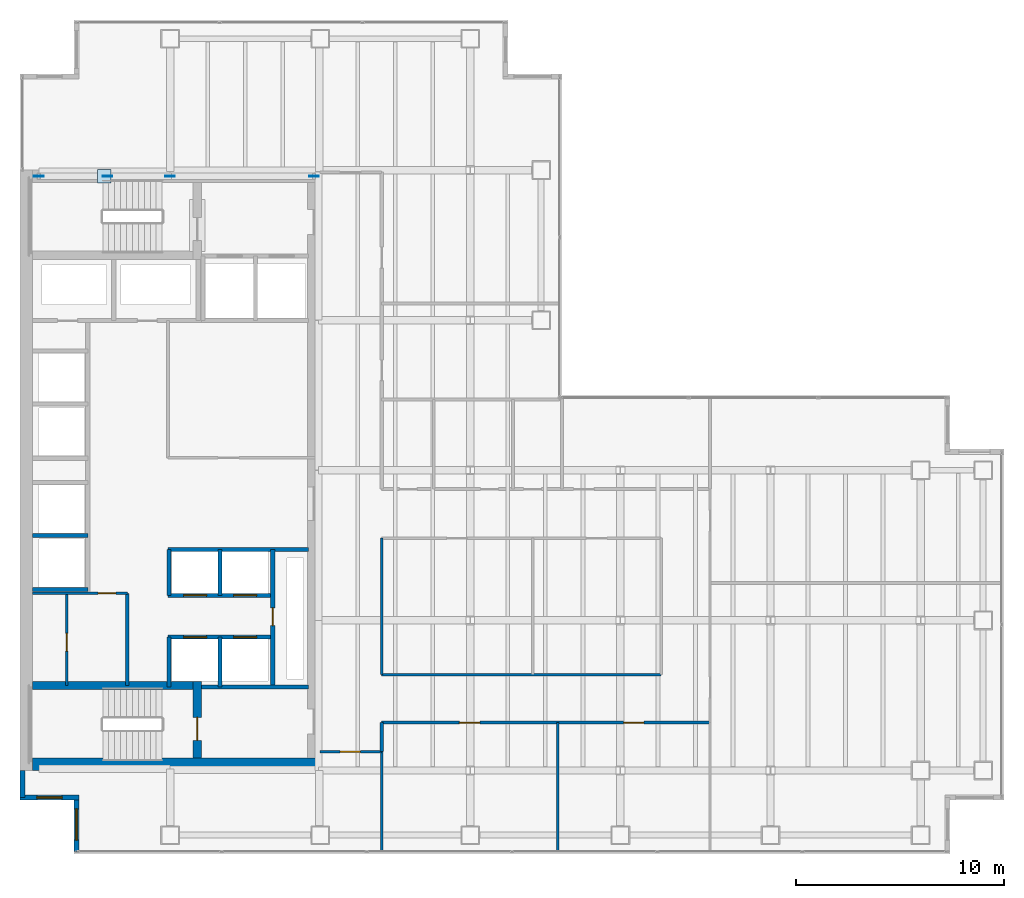
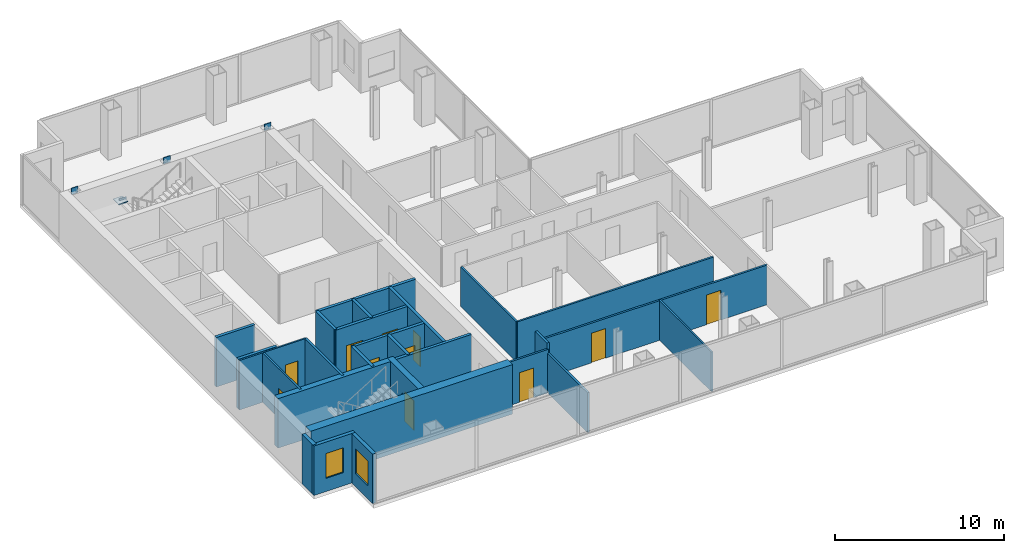
# One storey, part 20 of 23: 27 walls, 11 doors, 5 plates, 2 windows, 13 openings.
"""IFC4 building model written with IfcOpenShell, lengths in metres."""

from ifc_helpers import new_model, si_unit, direction, frame, frame_2d, origin, origin_2d, place, context, subcontext, project, spatial, rectangle, extrude, material, layer, layer_set, type_object, element, fill, save


model = new_model("IFC4")

# Units and contexts
model_context = context("Model", 3, precision=1e-05, world=origin(), true_north=direction((0.0, 1.0)))
body_context = subcontext(model_context, "Body", "Model", "MODEL_VIEW")
ifc_project = project(units=[si_unit("LENGTHUNIT", "METRE"), si_unit("AREAUNIT", "SQUARE_METRE"), si_unit("VOLUMEUNIT", "CUBIC_METRE"), si_unit("PLANEANGLEUNIT", "RADIAN"), si_unit("MASSUNIT", "GRAM", prefix="KILO")], contexts=[model_context])

# Site, building, storey
site_placement = place(None, origin())
site = spatial("IfcSite", under=ifc_project, at=site_placement, CompositionType="ELEMENT")
building_placement = place(site_placement, origin())
building = spatial("IfcBuilding", under=site, at=building_placement, Name="Cobrela Telecom Tower", CompositionType="ELEMENT")
storey_placement = place(building_placement, frame((0.0, 0.0, 144.550048828125)))
storey = spatial("IfcBuildingStorey", under=building, at=storey_placement, Name="L36", CompositionType="ELEMENT", Elevation=144.550048828125)

# Plates
ifc_material_1 = material(Name="Steel ASTM A572 Grade 50", Category="steel")
ifc_layer_1 = layer(ifc_material_1, 0.0419921875)
ifc_layer_set_1 = layer_set([ifc_layer_1], Name="Steel ASTM A572 Grade 50")
plate_type = type_object("IfcPlateType", Name="PLT-NODE-ND1", PredefinedType="USERDEFINED", material=ifc_layer_set_1)
for number, where, z_axis, x_axis, name in (
    (1, (7.199951171875, 35.699951171875, 3.389892578125), (0.0, 0.0, 1.0), (1.0, 0.0, 0.0), "Steel node plate PLT-MBR-EXO-L36-N1-A-1"),
    (2, (4.1953125, 35.699951171875, 1.4755859375), (0.0, 0.0, 1.0), (-1.0, 0.0, 0.0), "Steel node plate PLT-MBR-EXO-L36-N1-B1-1"),
    (3, (0.89990234375, 35.699951171875, 3.389892578125), (0.0, 0.0, 1.0), (-1.0, 0.0, 0.0), "Steel node plate PLT-MBR-EXO-L36-N1-B2-1"),
):
    element("IfcPlate", number, at=place(storey_placement, frame(where, z_axis=z_axis, x_axis=x_axis)), inside=storey, type_object=plate_type, Name=name, ObjectType="GUSSET PLATE", PredefinedType="USERDEFINED", context=body_context, shape_type="SweptSolid", body=[
        extrude(rectangle(XDim=0.4599609375, YDim=0.044921875, at=origin_2d()), origin(), (0.0, 0.0, 1.0), 0.4599609375),
    ])
plate_1_placement = place(storey_placement, frame((4.050048828125, 35.699951171875, 1.767578125), z_axis=(0.0, 0.0, 1.0), x_axis=(1.0, 0.0, 0.0)))
element("IfcPlate", 4, at=plate_1_placement, inside=storey, type_object=plate_type, Name="L36 Core Flange Steel X-Brace Central X-Crossing Gusset Plate", ObjectType="GUSSET PLATE", PredefinedType="USERDEFINED", context=body_context, shape_type="SweptSolid", body=[
    extrude(rectangle(XDim=0.64990234375, YDim=0.64990234375, at=origin_2d()), origin(), (0.0, 0.0, 1.0), 0.044921875),
])
plate_2_placement = place(storey_placement, frame((14.10009765625, 35.699951171875, 3.389892578125), z_axis=(0.0, 0.0, 1.0), x_axis=(1.0, 0.0, 0.0)))
element("IfcPlate", 5, at=plate_2_placement, inside=storey, type_object=plate_type, Name="Steel node plate PLT-MBR-EXO-L36-N2-1", ObjectType="GUSSET PLATE", PredefinedType="USERDEFINED", context=body_context, shape_type="SweptSolid", body=[
    extrude(rectangle(XDim=0.4599609375, YDim=0.044921875, at=origin_2d()), origin(), (0.0, 0.0, 1.0), 0.4599609375),
])

# Wall
ifc_material_2 = material(Name="Concrete C50/60", Category="concrete")
ifc_layer_2 = layer(ifc_material_2, 0.60009765625)
ifc_layer_set_2 = layer_set([ifc_layer_2], Name="Concrete C50/60")
wall_type_1 = type_object("IfcWallType", Name="WALL-CORE-C50-600", PredefinedType="SHEAR", material=ifc_layer_set_2)
wall_1_placement = place(storey_placement, frame((0.60009765625, 7.5, 0.0), z_axis=(0.0, 0.0, 1.0), x_axis=(1.0, 0.0, 0.0)))
element("IfcWall", 6, at=wall_1_placement, inside=storey, type_object=wall_type_1, Name="L36 South Core Shear Wall", PredefinedType="SHEAR", context=body_context, shape_type="SweptSolid", body=[
    extrude(rectangle(XDim=13.7998046875, YDim=0.60009765625, at=frame_2d((6.89990234375, 0.0))), origin(), (0.0, 0.0, 1.0), 3.579833984375),
])

# Wall, opening, window
ifc_material_3 = material(Name="Concrete C40/50", Category="concrete")
ifc_layer_3 = layer(ifc_material_3, 0.239990234375)
ifc_layer_set_3 = layer_set([ifc_layer_3], Name="Concrete C40/50")
wall_type_2 = type_object("IfcWallType", Name="WALL-EXT-300", PredefinedType="STANDARD", material=ifc_layer_set_3)
wall_2_placement = place(storey_placement, frame((2.7099609375, 3.320068359375, 0.0), z_axis=(0.0, 0.0, 1.0), x_axis=(0.0, 1.0, 0.0)))
wall_2 = element("IfcWall", 7, at=wall_2_placement, inside=storey, type_object=wall_type_2, Name="L36 Insulated Facade Wall 01", PredefinedType="STANDARD", context=body_context, shape_type="SweptSolid", body=[
    extrude(rectangle(XDim=2.58984375, YDim=0.239990234375, at=frame_2d((1.294921875, 0.0))), origin(), (0.0, 0.0, 1.0), 3.579833984375),
])
opening_1_placement = place(wall_2_placement, frame((0.544921875, 0.0, 0.949951171875)))
opening_1 = element("IfcOpeningElement", 8, at=opening_1_placement, cuts=wall_2, Name="Opening WN-45", PredefinedType="OPENING", context=body_context, shape_type="SweptSolid", body=[
    extrude(rectangle(XDim=1.5, YDim=1.800048828125, at=frame_2d((0.75, 0.89990234375))), frame((0.0, 0.1318359375, 0.0), z_axis=(0.0, -1.0, 0.0), x_axis=(1.0, 0.0, 0.0)), (0.0, 0.0, 1.0), 0.263916015625),
])
ifc_material_4 = material(Name="Solar-Control Bronze Low-E Glass", Category="glass")
window_type_1 = type_object("IfcWindowType", Name="WIN-MOD-1500", PartitioningType="SINGLE_PANEL", PredefinedType="WINDOW", material=ifc_material_4)
window_1_placement = place(opening_1_placement, origin())
window_1 = element("IfcWindow", 9, at=window_1_placement, inside=storey, type_object=window_type_1, Name="L36 Corner Notch Facade Window 170", OverallHeight=1.800048828125, OverallWidth=1.5, PartitioningType="SINGLE_PANEL", PredefinedType="WINDOW", context=body_context, shape_type="SweptSolid", body=[
    extrude(rectangle(XDim=1.5, YDim=1.800048828125, at=frame_2d((0.75, 0.89990234375))), frame((0.0, 0.030029296875, 0.0), z_axis=(0.0, -1.0, 0.0), x_axis=(1.0, 0.0, 0.0)), (0.0, 0.0, 1.0), 0.06005859375),
])
fill(opening_1, window_1)

wall_3_placement = place(storey_placement, frame((2.830078125, 5.909912109375, 0.0), z_axis=(0.0, 0.0, 1.0), x_axis=(-1.0, 0.0, 0.0)))
wall_3 = element("IfcWall", 10, at=wall_3_placement, inside=storey, type_object=wall_type_2, Name="L36 Insulated Facade Wall 02", PredefinedType="STANDARD", context=body_context, shape_type="SweptSolid", body=[
    extrude(rectangle(XDim=2.830078125, YDim=0.239990234375, at=frame_2d((1.4150390625, 0.0))), origin(), (0.0, 0.0, 1.0), 3.579833984375),
])
opening_2_placement = place(wall_3_placement, frame((0.81494140625, 0.0, 0.949951171875)))
opening_2 = element("IfcOpeningElement", 11, at=opening_2_placement, cuts=wall_3, Name="Opening WN-19", PredefinedType="OPENING", context=body_context, shape_type="SweptSolid", body=[
    extrude(rectangle(XDim=1.199951171875, YDim=1.800048828125, at=frame_2d((0.60009765625, 0.89990234375))), frame((0.0, 0.1318359375, 0.0), z_axis=(0.0, -1.0, 0.0), x_axis=(1.0, 0.0, 0.0)), (0.0, 0.0, 1.0), 0.263916015625),
])
window_type_2 = type_object("IfcWindowType", Name="WIN-MOD-1200", PartitioningType="SINGLE_PANEL", PredefinedType="WINDOW", material=ifc_material_4)
window_2_placement = place(opening_2_placement, origin())
window_2 = element("IfcWindow", 12, at=window_2_placement, inside=storey, type_object=window_type_2, Name="L36 Corner Notch Facade Window 171", OverallHeight=1.800048828125, OverallWidth=1.199951171875, PartitioningType="SINGLE_PANEL", PredefinedType="WINDOW", context=body_context, shape_type="SweptSolid", body=[
    extrude(rectangle(XDim=1.199951171875, YDim=1.800048828125, at=frame_2d((0.60009765625, 0.89990234375))), frame((0.0, 0.030029296875, 0.0), z_axis=(0.0, -1.0, 0.0), x_axis=(1.0, 0.0, 0.0)), (0.0, 0.0, 1.0), 0.06005859375),
])
fill(opening_2, window_2)

# Wall
wall_4_placement = place(storey_placement, frame((0.1201171875, 5.909912109375, 0.0), z_axis=(0.0, 0.0, 1.0), x_axis=(0.0, 1.0, 0.0)))
element("IfcWall", 13, at=wall_4_placement, inside=storey, type_object=wall_type_2, Name="L36 Insulated Facade Wall 03", PredefinedType="STANDARD", context=body_context, shape_type="SweptSolid", body=[
    extrude(rectangle(XDim=1.2900390625, YDim=0.239990234375, at=frame_2d((0.64501953125, 0.0))), origin(), (0.0, 0.0, 1.0), 3.579833984375),
])

# Wall, opening, door
ifc_material_5 = material(Name="Fire-Rated Gypsum Plasterboard")
ifc_layer_4 = layer(ifc_material_5, 0.110107421875)
ifc_layer_set_4 = layer_set([ifc_layer_4], Name="Fire-Rated Gypsum Plasterboard")
wall_type_3 = type_object("IfcWallType", Name="WALL-PART-110", PredefinedType="PARTITIONING", material=ifc_layer_set_4)
wall_5_placement = place(storey_placement, frame((0.60009765625, 15.699951171875, 0.0), z_axis=(0.0, 0.0, 1.0), x_axis=(1.0, 0.0, 0.0)))
wall_5 = element("IfcWall", 14, at=wall_5_placement, inside=storey, type_object=wall_type_3, Name="L36 Interior Partition CW-FLEX-N", PredefinedType="PARTITIONING", context=body_context, shape_type="SweptSolid", body=[
    extrude(rectangle(XDim=4.5498046875, YDim=0.110107421875, at=frame_2d((2.27490234375, 0.0))), origin(), (0.0, 0.0, 1.0), 3.579833984375),
])
opening_3_placement = place(wall_5_placement, frame((3.14990234375, 0.0, 0.0)))
opening_3 = element("IfcOpeningElement", 15, at=opening_3_placement, cuts=wall_5, Name="Opening DR-11", PredefinedType="OPENING", context=body_context, shape_type="SweptSolid", body=[
    extrude(rectangle(XDim=0.85009765625, YDim=2.14990234375, at=frame_2d((0.425048828125, 1.074951171875))), frame((0.0, 0.06689453125, 0.0), z_axis=(0.0, -1.0, 0.0), x_axis=(1.0, 0.0, 0.0)), (0.0, 0.0, 1.0), 0.134033203125),
])
ifc_material_6 = material(Name="Solid Engineered Oak Timber", Category="wood")
door_type_1 = type_object("IfcDoorType", Name="DOOR-INT-850", OperationType="SINGLE_SWING_LEFT", PredefinedType="DOOR", material=ifc_material_6)
door_1_placement = place(opening_3_placement, origin())
door_1 = element("IfcDoor", 16, at=door_1_placement, inside=storey, type_object=door_type_1, Name="L36 Door DR-11", OperationType="SINGLE_SWING_RIGHT", OverallHeight=2.14990234375, OverallWidth=0.85009765625, PredefinedType="DOOR", context=body_context, shape_type="SweptSolid", body=[
    extrude(rectangle(XDim=0.85009765625, YDim=2.14990234375, at=frame_2d((0.425048828125, 1.074951171875))), frame((0.0, 0.02490234375, 0.0), z_axis=(0.0, -1.0, 0.0), x_axis=(1.0, 0.0, 0.0)), (0.0, 0.0, 1.0), 0.050048828125),
])
fill(opening_3, door_1)

# Wall
wall_6_placement = place(storey_placement, frame((25.800048828125, 3.320068359375, 0.0), z_axis=(0.0, 0.0, 1.0), x_axis=(0.0, 1.0, 0.0)))
element("IfcWall", 17, at=wall_6_placement, inside=storey, type_object=wall_type_3, Name="L36 Interior Partition W-USV-1", PredefinedType="PARTITIONING", context=body_context, shape_type="SweptSolid", body=[
    extrude(rectangle(XDim=6.179931640625, YDim=0.110107421875, at=frame_2d((3.08984375, 0.0))), origin(), (0.0, 0.0, 1.0), 2.868896484375),
])

# Wall, opening, door
ifc_layer_5 = layer(ifc_material_5, 0.125)
ifc_layer_set_5 = layer_set([ifc_layer_5], Name="Fire-Rated Gypsum Plasterboard")
wall_type_4 = type_object("IfcWallType", Name="WALL-PART-125", PredefinedType="PARTITIONING", material=ifc_layer_set_5)
wall_7_placement = place(storey_placement, frame((2.25, 11.280029296875, 0.0), z_axis=(0.0, 0.0, 1.0), x_axis=(0.0, 1.0, 0.0)))
wall_7 = element("IfcWall", 18, at=wall_7_placement, inside=storey, type_object=wall_type_4, Name="L36 Interior Partition CW-FK0-V", PredefinedType="PARTITIONING", context=body_context, shape_type="SweptSolid", body=[
    extrude(rectangle(XDim=4.419921875, YDim=0.125, at=frame_2d((2.2099609375, 0.0))), origin(), (0.0, 0.0, 1.0), 3.579833984375),
])
opening_4_placement = place(wall_7_placement, frame((1.64990234375, 0.0, 0.0)))
opening_4 = element("IfcOpeningElement", 19, at=opening_4_placement, cuts=wall_7, Name="Opening DR-11", PredefinedType="OPENING", context=body_context, shape_type="SweptSolid", body=[
    extrude(rectangle(XDim=0.85009765625, YDim=2.14990234375, at=frame_2d((0.425048828125, 1.074951171875))), frame((0.0, 0.074462890625, 0.0), z_axis=(0.0, -1.0, 0.0), x_axis=(1.0, 0.0, 0.0)), (0.0, 0.0, 1.0), 0.14892578125),
])
door_2_placement = place(opening_4_placement, origin())
door_2 = element("IfcDoor", 20, at=door_2_placement, inside=storey, type_object=door_type_1, Name="L36 Door DR-11", OperationType="SINGLE_SWING_LEFT", OverallHeight=2.14990234375, OverallWidth=0.85009765625, PredefinedType="DOOR", context=body_context, shape_type="SweptSolid", body=[
    extrude(rectangle(XDim=0.85009765625, YDim=2.14990234375, at=frame_2d((0.425048828125, 1.074951171875))), frame((0.0, 0.02490234375, 0.0), z_axis=(0.0, -1.0, 0.0), x_axis=(1.0, 0.0, 0.0)), (0.0, 0.0, 1.0), 0.050048828125),
])
fill(opening_4, door_2)

# Walls
wall_8_placement = place(storey_placement, frame((17.35009765625, 11.800048828125, 0.0), z_axis=(0.0, 0.0, 1.0), x_axis=(0.0, 1.0, 0.0)))
element("IfcWall", 21, at=wall_8_placement, inside=storey, type_object=wall_type_4, Name="L36 Interior Partition W-ISL-W", PredefinedType="PARTITIONING", context=body_context, shape_type="SweptSolid", body=[
    extrude(rectangle(XDim=6.550048828125, YDim=0.125, at=frame_2d((3.27490234375, 0.0))), origin(), (0.0, 0.0, 1.0), 2.868896484375),
])
wall_9_placement = place(storey_placement, frame((17.35009765625, 11.800048828125, 0.0), z_axis=(0.0, 0.0, 1.0), x_axis=(1.0, 0.0, 0.0)))
element("IfcWall", 22, at=wall_9_placement, inside=storey, type_object=wall_type_4, Name="L36 Interior Partition W-ISL-S", PredefinedType="PARTITIONING", context=body_context, shape_type="SweptSolid", body=[
    extrude(rectangle(XDim=13.39990234375, YDim=0.125, at=frame_2d((6.699951171875, 0.0))), origin(), (0.0, 0.0, 1.0), 2.868896484375),
])

# Wall, opening, door
ifc_layer_6 = layer(ifc_material_5, 0.135009765625)
ifc_layer_set_6 = layer_set([ifc_layer_6], Name="Fire-Rated Gypsum Plasterboard")
wall_type_5 = type_object("IfcWallType", Name="WALL-PART-135", PredefinedType="PARTITIONING", material=ifc_layer_set_6)
wall_10_placement = place(storey_placement, frame((14.39990234375, 8.10009765625, 0.0), z_axis=(0.0, 0.0, 1.0), x_axis=(1.0, 0.0, 0.0)))
wall_10 = element("IfcWall", 23, at=wall_10_placement, inside=storey, type_object=wall_type_5, Name="L36 Interior Partition W-UW-S0", PredefinedType="PARTITIONING", context=body_context, shape_type="SweptSolid", body=[
    extrude(rectangle(XDim=2.9501953125, YDim=0.135009765625, at=frame_2d((1.47509765625, 0.0))), origin(), (0.0, 0.0, 1.0), 3.14794921875),
])
opening_5_placement = place(wall_10_placement, frame((0.949951171875, 0.0, 0.0)))
opening_5 = element("IfcOpeningElement", 24, at=opening_5_placement, cuts=wall_10, Name="Opening DR-17", PredefinedType="OPENING", context=body_context, shape_type="SweptSolid", body=[
    extrude(rectangle(XDim=0.97998046875, YDim=2.14990234375, at=frame_2d((0.489990234375, 1.074951171875))), frame((0.0, 0.07958984375, 0.0), z_axis=(0.0, -1.0, 0.0), x_axis=(1.0, 0.0, 0.0)), (0.0, 0.0, 1.0), 0.158935546875),
])
door_type_2 = type_object("IfcDoorType", Name="DOOR-INT-980", OperationType="SINGLE_SWING_LEFT", PredefinedType="DOOR", material=ifc_material_6)
door_3_placement = place(opening_5_placement, origin())
door_3 = element("IfcDoor", 25, at=door_3_placement, inside=storey, type_object=door_type_2, Name="L36 Door DR-17", OperationType="SINGLE_SWING_RIGHT", OverallHeight=2.14990234375, OverallWidth=0.97998046875, PredefinedType="DOOR", context=body_context, shape_type="SweptSolid", body=[
    extrude(rectangle(XDim=0.97998046875, YDim=2.14990234375, at=frame_2d((0.489990234375, 1.074951171875))), frame((0.0, 0.02490234375, 0.0), z_axis=(0.0, -1.0, 0.0), x_axis=(1.0, 0.0, 0.0)), (0.0, 0.0, 1.0), 0.050048828125),
])
fill(opening_5, door_3)

# Wall, openings, doors
wall_11_placement = place(storey_placement, frame((17.35009765625, 9.5, 0.0), z_axis=(0.0, 0.0, 1.0), x_axis=(1.0, 0.0, 0.0)))
wall_11 = element("IfcWall", 26, at=wall_11_placement, inside=storey, type_object=wall_type_5, Name="L36 Interior Partition W-US-S", PredefinedType="PARTITIONING", context=body_context, shape_type="SweptSolid", body=[
    extrude(rectangle(XDim=15.75, YDim=0.135009765625, at=frame_2d((7.875, 0.0))), origin(), (0.0, 0.0, 1.0), 2.868896484375),
])
opening_6_placement = place(wall_11_placement, frame((3.72998046875, 0.0, 0.0)))
opening_6 = element("IfcOpeningElement", 27, at=opening_6_placement, cuts=wall_11, Name="Opening DR-17", PredefinedType="OPENING", context=body_context, shape_type="SweptSolid", body=[
    extrude(rectangle(XDim=0.97998046875, YDim=2.14990234375, at=frame_2d((0.489990234375, 1.074951171875))), frame((0.0, 0.07958984375, 0.0), z_axis=(0.0, -1.0, 0.0), x_axis=(1.0, 0.0, 0.0)), (0.0, 0.0, 1.0), 0.158935546875),
])
opening_7_placement = place(wall_11_placement, frame((11.60009765625, 0.0, 0.0)))
opening_7 = element("IfcOpeningElement", 28, at=opening_7_placement, cuts=wall_11, Name="Opening DR-17", PredefinedType="OPENING", context=body_context, shape_type="SweptSolid", body=[
    extrude(rectangle(XDim=0.97998046875, YDim=2.14990234375, at=frame_2d((0.489990234375, 1.074951171875))), frame((0.0, 0.07958984375, 0.0), z_axis=(0.0, -1.0, 0.0), x_axis=(1.0, 0.0, 0.0)), (0.0, 0.0, 1.0), 0.158935546875),
])
door_4_placement = place(opening_6_placement, origin())
door_4 = element("IfcDoor", 29, at=door_4_placement, inside=storey, type_object=door_type_2, Name="L36 Door DR-17", OperationType="SINGLE_SWING_LEFT", OverallHeight=2.14990234375, OverallWidth=0.97998046875, PredefinedType="DOOR", context=body_context, shape_type="SweptSolid", body=[
    extrude(rectangle(XDim=0.97998046875, YDim=2.14990234375, at=frame_2d((0.489990234375, 1.074951171875))), frame((0.0, 0.02490234375, 0.0), z_axis=(0.0, -1.0, 0.0), x_axis=(1.0, 0.0, 0.0)), (0.0, 0.0, 1.0), 0.050048828125),
])
fill(opening_6, door_4)
door_5_placement = place(opening_7_placement, origin())
door_5 = element("IfcDoor", 30, at=door_5_placement, inside=storey, type_object=door_type_2, Name="L36 Door DR-17", OperationType="SINGLE_SWING_RIGHT", OverallHeight=2.14990234375, OverallWidth=0.97998046875, PredefinedType="DOOR", context=body_context, shape_type="SweptSolid", body=[
    extrude(rectangle(XDim=0.97998046875, YDim=2.14990234375, at=frame_2d((0.489990234375, 1.074951171875))), frame((0.0, 0.02490234375, 0.0), z_axis=(0.0, -1.0, 0.0), x_axis=(1.0, 0.0, 0.0)), (0.0, 0.0, 1.0), 0.050048828125),
])
fill(opening_7, door_5)

# Walls
wall_12_placement = place(storey_placement, frame((17.35009765625, 3.320068359375, 0.0), z_axis=(0.0, 0.0, 1.0), x_axis=(0.0, 1.0, 0.0)))
element("IfcWall", 31, at=wall_12_placement, inside=storey, type_object=wall_type_5, Name="L36 Interior Partition W-USW-E", PredefinedType="PARTITIONING", context=body_context, shape_type="SweptSolid", body=[
    extrude(rectangle(XDim=4.780029296875, YDim=0.135009765625, at=frame_2d((2.39013671875, 0.0))), origin(), (0.0, 0.0, 1.0), 2.868896484375),
])
ifc_layer_7 = layer(ifc_material_5, 0.159912109375)
ifc_layer_set_7 = layer_set([ifc_layer_7], Name="Fire-Rated Gypsum Plasterboard")
wall_type_6 = type_object("IfcWallType", Name="WALL-PART-160", PredefinedType="PARTITIONING", material=ifc_layer_set_7)
wall_13_placement = place(storey_placement, frame((5.14990234375, 11.280029296875, 0.0), z_axis=(0.0, 0.0, 1.0), x_axis=(0.0, 1.0, 0.0)))
element("IfcWall", 32, at=wall_13_placement, inside=storey, type_object=wall_type_6, Name="L36 Interior Partition CW-FLEX-E", PredefinedType="PARTITIONING", context=body_context, shape_type="SweptSolid", body=[
    extrude(rectangle(XDim=4.419921875, YDim=0.159912109375, at=frame_2d((2.2099609375, 0.0))), origin(), (0.0, 0.0, 1.0), 3.579833984375),
])
wall_14_placement = place(storey_placement, frame((17.35009765625, 8.10009765625, 0.0), z_axis=(0.0, 0.0, 1.0), x_axis=(0.0, 1.0, 0.0)))
element("IfcWall", 33, at=wall_14_placement, inside=storey, type_object=wall_type_6, Name="L36 Interior Partition W-UW-E1", PredefinedType="PARTITIONING", context=body_context, shape_type="SweptSolid", body=[
    extrude(rectangle(XDim=1.39990234375, YDim=0.159912109375, at=frame_2d((0.699951171875, 0.0))), origin(), (0.0, 0.0, 1.0), 3.579833984375),
])
ifc_layer_8 = layer(ifc_material_5, 0.199951171875)
ifc_layer_set_8 = layer_set([ifc_layer_8], Name="Fire-Rated Gypsum Plasterboard")
wall_type_7 = type_object("IfcWallType", Name="WALL-SHAFT-200", PredefinedType="PARTITIONING", material=ifc_layer_set_8)
wall_15_placement = place(storey_placement, frame((8.699951171875, 11.199951171875, 0.0), z_axis=(0.0, 0.0, 1.0), x_axis=(1.0, 0.0, 0.0)))
element("IfcWall", 34, at=wall_15_placement, inside=storey, type_object=wall_type_7, Name="L36 Shaft Enclosure CW-ST2L-N", PredefinedType="PARTITIONING", context=body_context, shape_type="SweptSolid", body=[
    extrude(rectangle(XDim=5.150146484375, YDim=0.199951171875, at=frame_2d((2.5751953125, 0.0))), origin(), (0.0, 0.0, 1.0), 3.579833984375),
])
for number, where, z_axis, x_axis, name in (
    (35, (0.60009765625, 15.8798828125, 0.0), (0.0, 0.0, 1.0), (1.0, 0.0, 0.0), "L36 Shaft Enclosure CW-PLH-D9"),
    (36, (0.60009765625, 18.47998046875, 0.0), (0.0, 0.0, 1.0), (1.0, 0.0, 0.0), "L36 Shaft Enclosure CW-PLH-D10"),
):
    element("IfcWall", number, at=place(storey_placement, frame(where, z_axis=z_axis, x_axis=x_axis)), inside=storey, type_object=wall_type_7, Name=name, PredefinedType="PARTITIONING", context=body_context, shape_type="SweptSolid", body=[
        extrude(rectangle(XDim=2.64990234375, YDim=0.199951171875, at=frame_2d((1.324951171875, 0.0))), origin(), (0.0, 0.0, 1.0), 3.579833984375),
    ])
wall_16_placement = place(storey_placement, frame((7.10009765625, 17.800048828125, 0.0), z_axis=(0.0, 0.0, 1.0), x_axis=(1.0, 0.0, 0.0)))
element("IfcWall", 37, at=wall_16_placement, inside=storey, type_object=wall_type_7, Name="L36 Shaft Enclosure CW-PLM-T0", PredefinedType="PARTITIONING", context=body_context, shape_type="SweptSolid", body=[
    extrude(rectangle(XDim=6.75, YDim=0.199951171875, at=frame_2d((3.375, 0.0))), origin(), (0.0, 0.0, 1.0), 3.579833984375),
])

# Wall, openings, doors
wall_17_placement = place(storey_placement, frame((7.10009765625, 15.60009765625, 0.0), z_axis=(0.0, 0.0, 1.0), x_axis=(1.0, 0.0, 0.0)))
wall_17 = element("IfcWall", 38, at=wall_17_placement, inside=storey, type_object=wall_type_7, Name="L36 Shaft Enclosure CW-PLM-N", PredefinedType="PARTITIONING", context=body_context, shape_type="SweptSolid", body=[
    extrude(rectangle(XDim=5.02001953125, YDim=0.199951171875, at=frame_2d((2.510009765625, 0.0))), origin(), (0.0, 0.0, 1.0), 3.579833984375),
])
opening_8_placement = place(wall_17_placement, frame((0.75, 0.0, 0.0)))
opening_8 = element("IfcOpeningElement", 39, at=opening_8_placement, cuts=wall_17, Name="Opening LD-1", PredefinedType="OPENING", context=body_context, shape_type="SweptSolid", body=[
    extrude(rectangle(XDim=1.10009765625, YDim=2.199951171875, at=frame_2d((0.550048828125, 1.10009765625))), frame((0.0, 0.11181640625, 0.0), z_axis=(0.0, -1.0, 0.0), x_axis=(1.0, 0.0, 0.0)), (0.0, 0.0, 1.0), 0.223876953125),
])
opening_9_placement = place(wall_17_placement, frame((3.14990234375, 0.0, 0.0)))
opening_9 = element("IfcOpeningElement", 40, at=opening_9_placement, cuts=wall_17, Name="Opening LD-1", PredefinedType="OPENING", context=body_context, shape_type="SweptSolid", body=[
    extrude(rectangle(XDim=1.10009765625, YDim=2.199951171875, at=frame_2d((0.550048828125, 1.10009765625))), frame((0.0, 0.11181640625, 0.0), z_axis=(0.0, -1.0, 0.0), x_axis=(1.0, 0.0, 0.0)), (0.0, 0.0, 1.0), 0.223876953125),
])
ifc_material_7 = material(Name="Steel ASTM A36", Category="steel")
door_type_3 = type_object("IfcDoorType", Name="DOOR-LD-PL", OperationType="SINGLE_SWING_LEFT", PredefinedType="DOOR", material=ifc_material_7)
door_6_placement = place(opening_8_placement, origin())
door_6 = element("IfcDoor", 41, at=door_6_placement, inside=storey, type_object=door_type_3, Name="L36 Lift Landing Door LD-1", OperationType="DOUBLE_DOOR_SLIDING", OverallHeight=2.199951171875, OverallWidth=1.10009765625, PredefinedType="DOOR", context=body_context, shape_type="SweptSolid", body=[
    extrude(rectangle(XDim=1.10009765625, YDim=2.199951171875, at=frame_2d((0.550048828125, 1.10009765625))), frame((0.0, 0.02490234375, 0.0), z_axis=(0.0, -1.0, 0.0), x_axis=(1.0, 0.0, 0.0)), (0.0, 0.0, 1.0), 0.050048828125),
])
fill(opening_8, door_6)
door_7_placement = place(opening_9_placement, origin())
door_7 = element("IfcDoor", 42, at=door_7_placement, inside=storey, type_object=door_type_3, Name="L36 Lift Landing Door LD-1", OperationType="DOUBLE_DOOR_SLIDING", OverallHeight=2.199951171875, OverallWidth=1.10009765625, PredefinedType="DOOR", context=body_context, shape_type="SweptSolid", body=[
    extrude(rectangle(XDim=1.10009765625, YDim=2.199951171875, at=frame_2d((0.550048828125, 1.10009765625))), frame((0.0, 0.02490234375, 0.0), z_axis=(0.0, -1.0, 0.0), x_axis=(1.0, 0.0, 0.0)), (0.0, 0.0, 1.0), 0.050048828125),
])
fill(opening_9, door_7)

wall_18_placement = place(storey_placement, frame((7.10009765625, 13.60009765625, 0.0), z_axis=(0.0, 0.0, 1.0), x_axis=(1.0, 0.0, 0.0)))
wall_18 = element("IfcWall", 43, at=wall_18_placement, inside=storey, type_object=wall_type_7, Name="L36 Shaft Enclosure CW-PLM-S", PredefinedType="PARTITIONING", context=body_context, shape_type="SweptSolid", body=[
    extrude(rectangle(XDim=5.02001953125, YDim=0.199951171875, at=frame_2d((2.510009765625, 0.0))), origin(), (0.0, 0.0, 1.0), 3.579833984375),
])
opening_10_placement = place(wall_18_placement, frame((0.75, 0.0, 0.0)))
opening_10 = element("IfcOpeningElement", 44, at=opening_10_placement, cuts=wall_18, Name="Opening LD-1", PredefinedType="OPENING", context=body_context, shape_type="SweptSolid", body=[
    extrude(rectangle(XDim=1.10009765625, YDim=2.199951171875, at=frame_2d((0.550048828125, 1.10009765625))), frame((0.0, 0.11181640625, 0.0), z_axis=(0.0, -1.0, 0.0), x_axis=(1.0, 0.0, 0.0)), (0.0, 0.0, 1.0), 0.223876953125),
])
opening_11_placement = place(wall_18_placement, frame((3.14990234375, 0.0, 0.0)))
opening_11 = element("IfcOpeningElement", 45, at=opening_11_placement, cuts=wall_18, Name="Opening LD-1", PredefinedType="OPENING", context=body_context, shape_type="SweptSolid", body=[
    extrude(rectangle(XDim=1.10009765625, YDim=2.199951171875, at=frame_2d((0.550048828125, 1.10009765625))), frame((0.0, 0.11181640625, 0.0), z_axis=(0.0, -1.0, 0.0), x_axis=(1.0, 0.0, 0.0)), (0.0, 0.0, 1.0), 0.223876953125),
])
door_8_placement = place(opening_10_placement, origin())
door_8 = element("IfcDoor", 46, at=door_8_placement, inside=storey, type_object=door_type_3, Name="L36 Lift Landing Door LD-1", OperationType="DOUBLE_DOOR_SLIDING", OverallHeight=2.199951171875, OverallWidth=1.10009765625, PredefinedType="DOOR", context=body_context, shape_type="SweptSolid", body=[
    extrude(rectangle(XDim=1.10009765625, YDim=2.199951171875, at=frame_2d((0.550048828125, 1.10009765625))), frame((0.0, 0.02490234375, 0.0), z_axis=(0.0, -1.0, 0.0), x_axis=(1.0, 0.0, 0.0)), (0.0, 0.0, 1.0), 0.050048828125),
])
fill(opening_10, door_8)
door_9_placement = place(opening_11_placement, origin())
door_9 = element("IfcDoor", 47, at=door_9_placement, inside=storey, type_object=door_type_3, Name="L36 Lift Landing Door LD-1", OperationType="DOUBLE_DOOR_SLIDING", OverallHeight=2.199951171875, OverallWidth=1.10009765625, PredefinedType="DOOR", context=body_context, shape_type="SweptSolid", body=[
    extrude(rectangle(XDim=1.10009765625, YDim=2.199951171875, at=frame_2d((0.550048828125, 1.10009765625))), frame((0.0, 0.02490234375, 0.0), z_axis=(0.0, -1.0, 0.0), x_axis=(1.0, 0.0, 0.0)), (0.0, 0.0, 1.0), 0.050048828125),
])
fill(opening_11, door_9)

# Walls
wall_19_placement = place(storey_placement, frame((7.14990234375, 15.60009765625, 0.0), z_axis=(0.0, 0.0, 1.0), x_axis=(0.0, 1.0, 0.0)))
element("IfcWall", 48, at=wall_19_placement, inside=storey, type_object=wall_type_7, Name="L36 Shaft Enclosure CW-PLM-V1", PredefinedType="PARTITIONING", context=body_context, shape_type="SweptSolid", body=[
    extrude(rectangle(XDim=2.199951171875, YDim=0.199951171875, at=frame_2d((1.10009765625, 0.0))), origin(), (0.0, 0.0, 1.0), 3.579833984375),
])
wall_20_placement = place(storey_placement, frame((7.14990234375, 11.199951171875, 0.0), z_axis=(0.0, 0.0, 1.0), x_axis=(0.0, 1.0, 0.0)))
element("IfcWall", 49, at=wall_20_placement, inside=storey, type_object=wall_type_7, Name="L36 Shaft Enclosure CW-PLM-V1B", PredefinedType="PARTITIONING", context=body_context, shape_type="SweptSolid", body=[
    extrude(rectangle(XDim=2.400146484375, YDim=0.199951171875, at=frame_2d((1.2001953125, 0.0))), origin(), (0.0, 0.0, 1.0), 3.579833984375),
])
wall_21_placement = place(storey_placement, frame((9.60009765625, 15.60009765625, 0.0), z_axis=(0.0, 0.0, 1.0), x_axis=(0.0, 1.0, 0.0)))
element("IfcWall", 50, at=wall_21_placement, inside=storey, type_object=wall_type_7, Name="L36 Shaft Enclosure CW-PLM-V2", PredefinedType="PARTITIONING", context=body_context, shape_type="SweptSolid", body=[
    extrude(rectangle(XDim=2.199951171875, YDim=0.199951171875, at=frame_2d((1.10009765625, 0.0))), origin(), (0.0, 0.0, 1.0), 3.579833984375),
])
wall_22_placement = place(storey_placement, frame((9.60009765625, 11.199951171875, 0.0), z_axis=(0.0, 0.0, 1.0), x_axis=(0.0, 1.0, 0.0)))
element("IfcWall", 51, at=wall_22_placement, inside=storey, type_object=wall_type_7, Name="L36 Shaft Enclosure CW-PLM-V2B", PredefinedType="PARTITIONING", context=body_context, shape_type="SweptSolid", body=[
    extrude(rectangle(XDim=2.400146484375, YDim=0.199951171875, at=frame_2d((1.2001953125, 0.0))), origin(), (0.0, 0.0, 1.0), 3.579833984375),
])

# Wall, opening, door
wall_23_placement = place(storey_placement, frame((12.1201171875, 11.199951171875, 0.0), z_axis=(0.0, 0.0, 1.0), x_axis=(0.0, 1.0, 0.0)))
wall_23 = element("IfcWall", 52, at=wall_23_placement, inside=storey, type_object=wall_type_7, Name="L36 Shaft Enclosure CW-PLM-V3", PredefinedType="PARTITIONING", context=body_context, shape_type="SweptSolid", body=[
    extrude(rectangle(XDim=6.60009765625, YDim=0.199951171875, at=frame_2d((3.300048828125, 0.0))), origin(), (0.0, 0.0, 1.0), 3.579833984375),
])
opening_12_placement = place(wall_23_placement, frame((2.949951171875, 0.0, 0.0)))
opening_12 = element("IfcOpeningElement", 53, at=opening_12_placement, cuts=wall_23, Name="Opening DR-11", PredefinedType="OPENING", context=body_context, shape_type="SweptSolid", body=[
    extrude(rectangle(XDim=0.85009765625, YDim=2.14990234375, at=frame_2d((0.425048828125, 1.074951171875))), frame((0.0, 0.11181640625, 0.0), z_axis=(0.0, -1.0, 0.0), x_axis=(1.0, 0.0, 0.0)), (0.0, 0.0, 1.0), 0.223876953125),
])
door_10_placement = place(opening_12_placement, origin())
door_10 = element("IfcDoor", 54, at=door_10_placement, inside=storey, type_object=door_type_1, Name="L36 Door DR-11", OperationType="SINGLE_SWING_RIGHT", OverallHeight=2.14990234375, OverallWidth=0.85009765625, PredefinedType="DOOR", context=body_context, shape_type="SweptSolid", body=[
    extrude(rectangle(XDim=0.85009765625, YDim=2.14990234375, at=frame_2d((0.425048828125, 1.074951171875))), frame((0.0, 0.02490234375, 0.0), z_axis=(0.0, -1.0, 0.0), x_axis=(1.0, 0.0, 0.0)), (0.0, 0.0, 1.0), 0.050048828125),
])
fill(opening_12, door_10)

# Wall
ifc_layer_9 = layer(ifc_material_3, 0.39990234375)
ifc_layer_set_9 = layer_set([ifc_layer_9], Name="Concrete C40/50")
wall_type_8 = type_object("IfcWallType", Name="WALL-SHAFT-C40-400", PredefinedType="SHEAR", material=ifc_layer_set_9)
wall_24_placement = place(storey_placement, frame((0.60009765625, 11.280029296875, 0.0), z_axis=(0.0, 0.0, 1.0), x_axis=(1.0, 0.0, 0.0)))
element("IfcWall", 55, at=wall_24_placement, inside=storey, type_object=wall_type_8, Name="L36 South Stair Shear Wall", PredefinedType="SHEAR", context=body_context, shape_type="SweptSolid", body=[
    extrude(rectangle(XDim=7.699951171875, YDim=0.39990234375, at=frame_2d((3.85009765625, 0.0))), origin(), (0.0, 0.0, 1.0), 3.579833984375),
])

# Wall, opening, door
wall_25_placement = place(storey_placement, frame((8.5, 7.800048828125, 0.0), z_axis=(0.0, 0.0, 1.0), x_axis=(0.0, 1.0, 0.0)))
wall_25 = element("IfcWall", 56, at=wall_25_placement, inside=storey, type_object=wall_type_8, Name="L36 South Stair Lobby Shear Wall", PredefinedType="SHEAR", context=body_context, shape_type="SweptSolid", body=[
    extrude(rectangle(XDim=3.679931640625, YDim=0.39990234375, at=frame_2d((1.83984375, 0.0))), origin(), (0.0, 0.0, 1.0), 3.579833984375),
])
opening_13_placement = place(wall_25_placement, frame((0.85009765625, 0.0, 0.0)))
opening_13 = element("IfcOpeningElement", 57, at=opening_13_placement, cuts=wall_25, Name="Opening FD-90", PredefinedType="OPENING", context=body_context, shape_type="SweptSolid", body=[
    extrude(rectangle(XDim=1.10009765625, YDim=2.14990234375, at=frame_2d((0.550048828125, 1.074951171875))), frame((0.0, 0.2119140625, 0.0), z_axis=(0.0, -1.0, 0.0), x_axis=(1.0, 0.0, 0.0)), (0.0, 0.0, 1.0), 0.423828125),
])
door_type_4 = type_object("IfcDoorType", Name="DOOR-FD90-1100", OperationType="SINGLE_SWING_LEFT", PredefinedType="DOOR", material=ifc_material_7)
door_11_placement = place(opening_13_placement, origin())
door_11 = element("IfcDoor", 58, at=door_11_placement, inside=storey, type_object=door_type_4, Name="L36 Door FD-90", OperationType="SINGLE_SWING_LEFT", OverallHeight=2.14990234375, OverallWidth=1.10009765625, PredefinedType="DOOR", context=body_context, shape_type="SweptSolid", body=[
    extrude(rectangle(XDim=1.10009765625, YDim=2.14990234375, at=frame_2d((0.550048828125, 1.074951171875))), frame((0.0, 0.02490234375, 0.0), z_axis=(0.0, -1.0, 0.0), x_axis=(1.0, 0.0, 0.0)), (0.0, 0.0, 1.0), 0.050048828125),
])
fill(opening_13, door_11)

save(model, "model.ifc")
